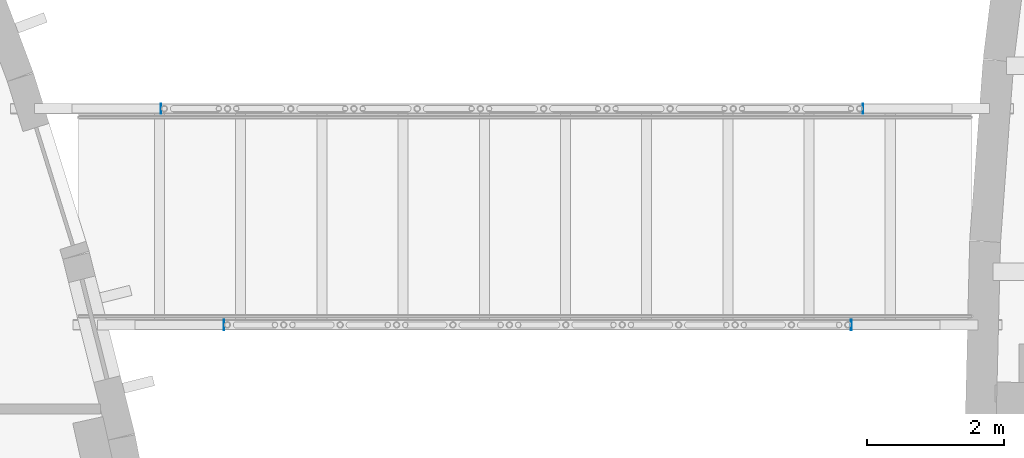
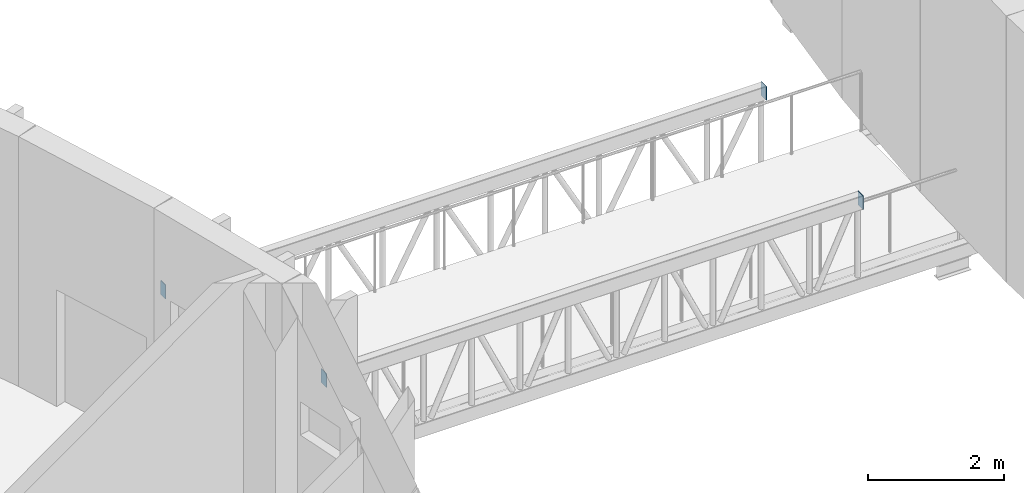
# One storey, part 47 of 93: 4 plates.
"""IFC4 building model written with IfcOpenShell, lengths in metres."""

from ifc_helpers import new_model, si_unit, direction, frame, origin, origin_2d, place, context, subcontext, project, spatial, rectangle, extrude, material, layer, layer_set, type_object, element, save


model = new_model("IFC4")

# Units and contexts
model_context = context("Model", 3, precision=1e-05, world=origin(), true_north=direction((0.0, 1.0)))
body_context = subcontext(model_context, "Body", "Model", "MODEL_VIEW")
ifc_project = project(units=[si_unit("LENGTHUNIT", "METRE"), si_unit("AREAUNIT", "SQUARE_METRE"), si_unit("VOLUMEUNIT", "CUBIC_METRE"), si_unit("PLANEANGLEUNIT", "RADIAN"), si_unit("MASSUNIT", "GRAM", prefix="KILO")], contexts=[model_context])

# Site, building, storey
site_placement = place(None, origin())
site = spatial("IfcSite", under=ifc_project, at=site_placement, CompositionType="ELEMENT")
building_placement = place(site_placement, origin())
building = spatial("IfcBuilding", under=site, at=building_placement, Name="Tide Square Theatres", CompositionType="ELEMENT")
storey_placement = place(building_placement, frame((0.0, 0.0, 5.39990234375)))
storey = spatial("IfcBuildingStorey", under=building, at=storey_placement, Name="L01", CompositionType="ELEMENT", Elevation=5.39990234375)

# Plates
ifc_material = material(Name="Steel ASTM A572 Grade 50", Category="steel")
ifc_layer = layer(ifc_material, 0.010009765625)
ifc_layer_set = layer_set([ifc_layer], Name="Steel ASTM A572 Grade 50")
plate_type = type_object("IfcPlateType", Name="Steel end plate 10 thick", PredefinedType="USERDEFINED", material=ifc_layer_set)
for number, where, z_axis, x_axis, name in (
    (1, (51.863525390625, 56.425048828125, 1.0751953125), (0.0, 0.0, 1.0), (-1.0, 0.0, 0.0), "Bridge BR-W1 top chord end plate"),
    (2, (61.0048828125, 56.425048828125, 1.0751953125), (0.0, 0.0, 1.0), (1.0, 0.0, 0.0), "Bridge BR-W1 top chord end plate"),
    (3, (50.946044921875, 59.574951171875, 1.0751953125), (0.0, 0.0, 1.0), (-1.0, 0.0, 0.0), "Bridge BR-W1 top chord end plate"),
    (4, (61.177001953125, 59.574951171875, 1.0751953125), (0.0, 0.0, 1.0), (1.0, 0.0, 0.0), "Bridge BR-W1 top chord end plate"),
):
    element("IfcPlate", number, at=place(storey_placement, frame(where, z_axis=z_axis, x_axis=x_axis)), inside=storey, type_object=plate_type, Name=name, ObjectType="END PLATE", PredefinedType="USERDEFINED", context=body_context, shape_type="SweptSolid", body=[
        extrude(rectangle(XDim=0.010009765625, YDim=0.14990234375, at=origin_2d()), origin(), (0.0, 0.0, 1.0), 0.25),
    ])

save(model, "model.ifc")
